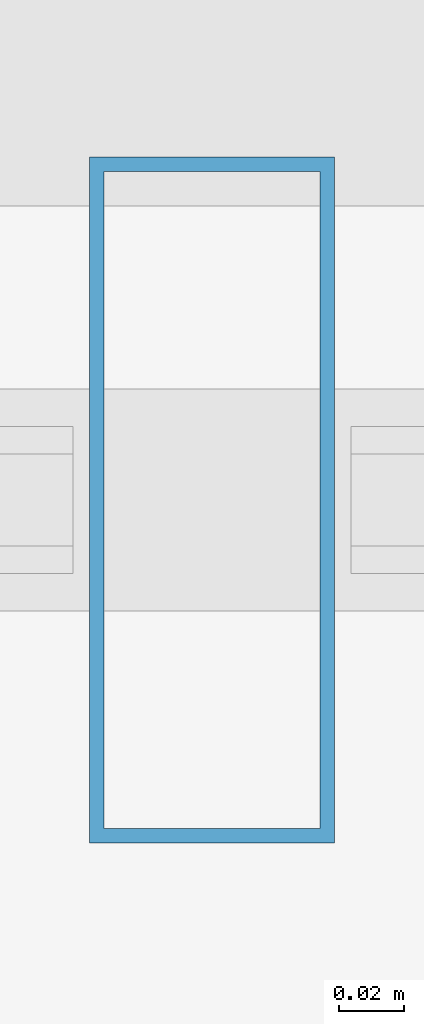
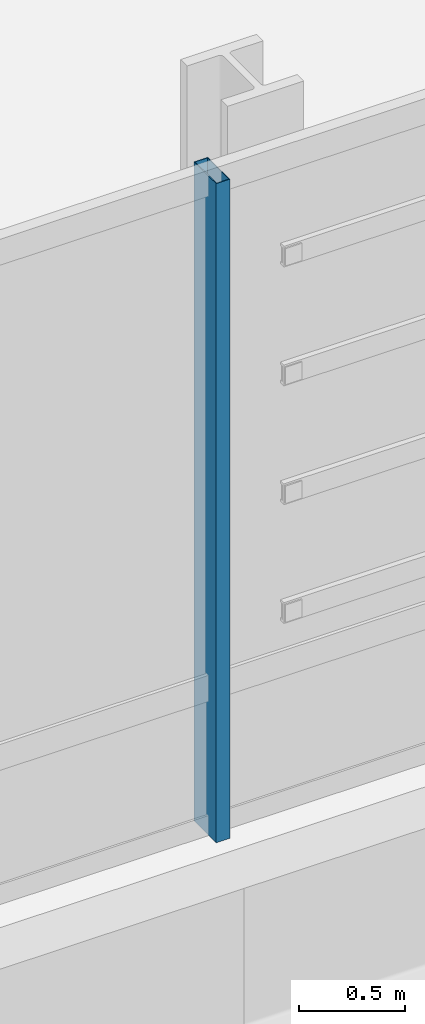
# One storey, part 6 of 36: 1 member, 1 element without a shape of its own.
"""IFC4 building model written with IfcOpenShell, lengths in metres."""

from ifc_helpers import new_model, si_unit, direction, frame, origin, origin_2d, place, context, subcontext, project, spatial, hollow_rectangle, extrude, material, material_profile, profile_set, type_object, element, aggregate, save


model = new_model("IFC4")

# Units and contexts
model_context = context("Model", 3, precision=1e-05, world=origin(), true_north=direction((0.0, 1.0)))
body_context = subcontext(model_context, "Body", "Model", "MODEL_VIEW")
ifc_project = project(units=[si_unit("LENGTHUNIT", "METRE"), si_unit("AREAUNIT", "SQUARE_METRE"), si_unit("VOLUMEUNIT", "CUBIC_METRE"), si_unit("PLANEANGLEUNIT", "RADIAN"), si_unit("MASSUNIT", "GRAM", prefix="KILO")], contexts=[model_context])

# Site, building, storey
site_placement = place(None, origin())
site = spatial("IfcSite", under=ifc_project, at=site_placement, CompositionType="ELEMENT")
building_placement = place(site_placement, origin())
building = spatial("IfcBuilding", under=site, at=building_placement, Name="Punatoya Terracotta Tower", CompositionType="ELEMENT")
storey_placement = place(building_placement, frame((0.0, 0.0, 48.449951171875)))
storey = spatial("IfcBuildingStorey", under=building, at=storey_placement, Name="L10", CompositionType="ELEMENT", Elevation=48.449951171875)

# Curtain wall, member
ifc_material_1 = material(Name="Aluminium 6063-T6 + Double Low-E Glass", Category="aluminium")
curtain_wall_type = type_object("IfcCurtainWallType", Name="CW-M1", PredefinedType="NOTDEFINED", material=ifc_material_1)
curtain_wall_placement = place(storey_placement, origin())
curtain_wall = element("IfcCurtainWall", 1, at=curtain_wall_placement, inside=storey, type_object=curtain_wall_type, Name="L10 Curtain Wall CW-L10-S01-1", PredefinedType="NOTDEFINED")
ifc_material_2 = material(Name="Aluminium 6063-T6", Category="aluminium")
ifc_material_profile = material_profile(ifc_material_2, hollow_rectangle(XDim=0.074951171875, YDim=0.2099609375, WallThickness=0.00439453125, at=origin_2d()))
ifc_profile_set = profile_set([ifc_material_profile], Name="Aluminium 6063-T6")
member_type = type_object("IfcMemberType", Name="CW-MUL-M1", PredefinedType="MULLION", material=ifc_profile_set)
member_placement = place(storey_placement, frame((-4.1669921875, -23.25, 0.0), z_axis=(0.0, 0.0, 1.0), x_axis=(1.0, 0.0, 0.0)))
member = element("IfcMember", 2, at=member_placement, type_object=member_type, Name="CW-L10-S01-1 Mullion 05", PredefinedType="MULLION", context=body_context, shape_type="SweptSolid", body=[
    extrude(hollow_rectangle(XDim=0.074951171875, YDim=0.2099609375, WallThickness=0.00439453125, at=origin_2d()), origin(), (0.0, 0.0, 1.0), 3.81005859375),
])
aggregate(curtain_wall, [member])

save(model, "model.ifc")
